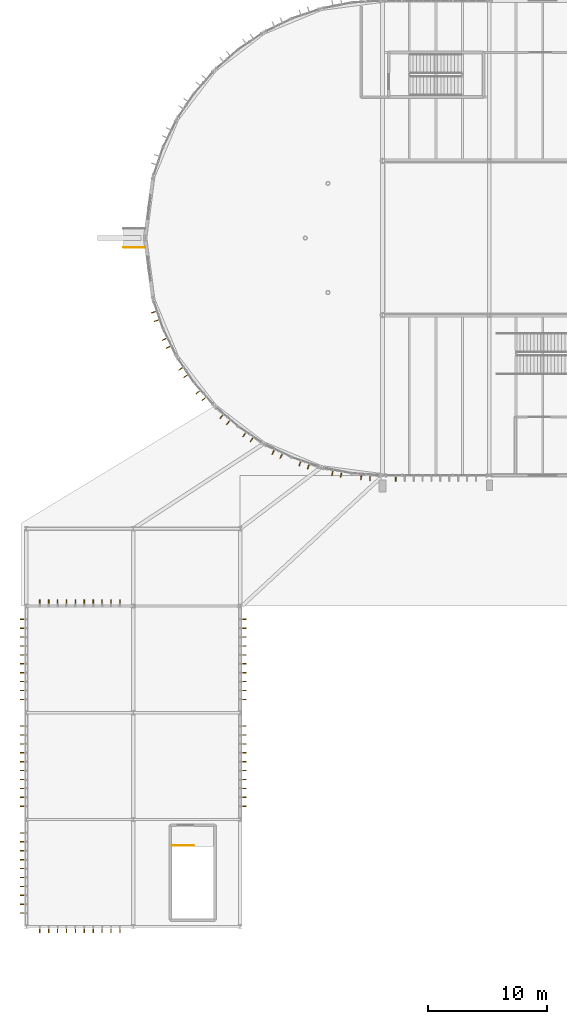
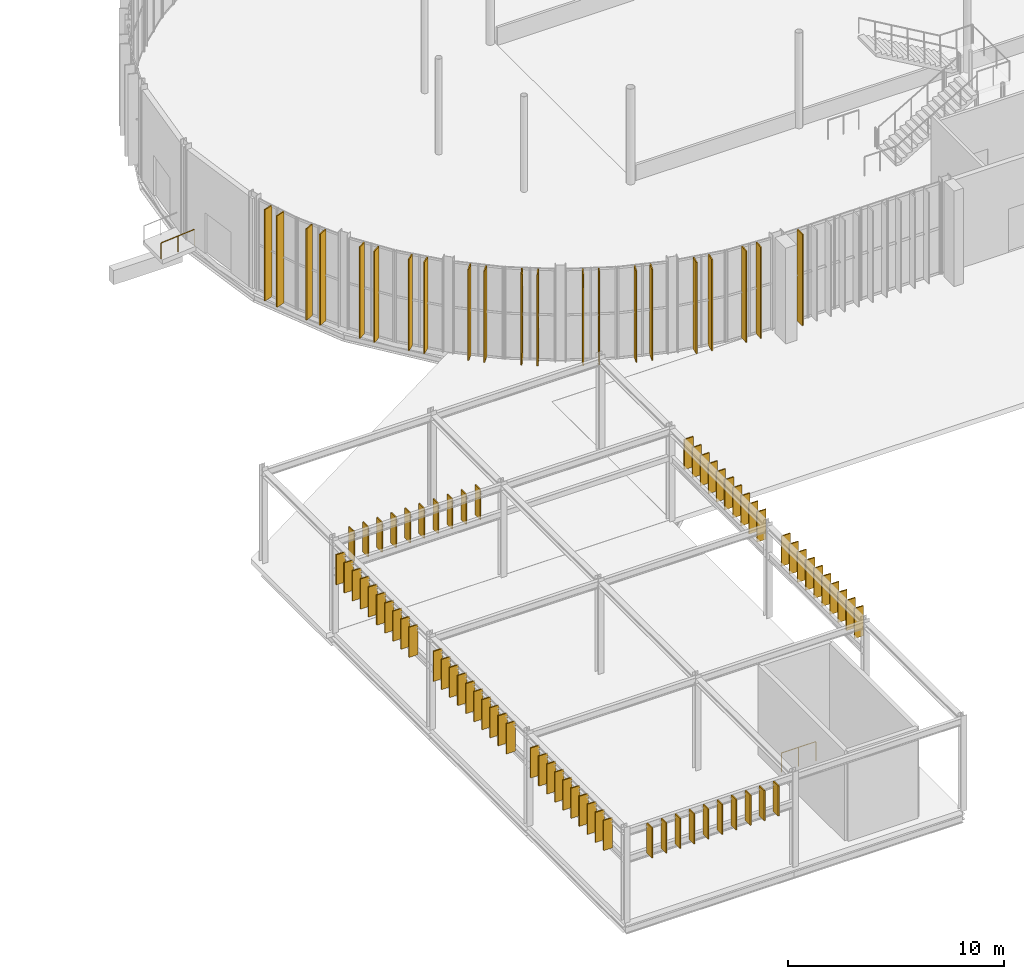
# One storey, part 140 of 158: 91 coverings, 2 railings, 1 element without a shape of its own.
"""IFC4 building model written with IfcOpenShell, lengths in metres."""

from ifc_helpers import new_model, si_unit, derived_unit, direction, frame, origin, origin_2d, place, context, subcontext, project, spatial, rectangle, circle, extrude, material, layer, layer_set, type_object, element, aggregate, save


model = new_model("IFC4")

# Units and contexts
model_context = context("Model", 3, precision=1e-05, world=origin(), true_north=direction((0.0, 1.0)))
body_context = subcontext(model_context, "Body", "Model", "MODEL_VIEW")
ifc_project = project(units=[si_unit("LENGTHUNIT", "METRE"), si_unit("AREAUNIT", "SQUARE_METRE"), si_unit("VOLUMEUNIT", "CUBIC_METRE"), si_unit("PLANEANGLEUNIT", "RADIAN"), si_unit("MASSUNIT", "GRAM", prefix="KILO"), si_unit("THERMODYNAMICTEMPERATUREUNIT", "KELVIN"), si_unit("TIMEUNIT", "SECOND"), derived_unit("THERMALTRANSMITTANCEUNIT", [(si_unit("MASSUNIT", "GRAM", prefix="KILO"), 1), (si_unit("THERMODYNAMICTEMPERATUREUNIT", "KELVIN"), -1), (si_unit("TIMEUNIT", "SECOND"), -3)])], contexts=[model_context])

# Site, building, storey
site_placement = place(None, origin())
site = spatial("IfcSite", under=ifc_project, at=site_placement, CompositionType="ELEMENT")
building_placement = place(site_placement, origin())
building = spatial("IfcBuilding", under=site, at=building_placement, Name="Cambertide Market Hall", CompositionType="ELEMENT")
storey_placement = place(building_placement, origin())
storey = spatial("IfcBuildingStorey", under=building, at=storey_placement, Name="L01", CompositionType="ELEMENT", Elevation=0.0)

# Ramp, railing
ifc_material_1 = material(Name="Flamed Central-Vietnam Granite Paving", Category="masonry")
ramp_type = type_object("IfcRampType", Name="Exterior Accessible Entry Ramp", PredefinedType="STRAIGHT_RUN_RAMP", material=ifc_material_1)
ramp_placement = place(storey_placement, origin())
ramp = element("IfcRamp", 1, at=ramp_placement, inside=storey, type_object=ramp_type, Name="West Main Hall Accessible Ramp PR-01", PredefinedType="STRAIGHT_RUN_RAMP")
ifc_material_2 = material(Name="Stainless Steel Grade 316", Category="metal")
railing_type_1 = type_object("IfcRailingType", Name="Exterior Plinth Ramp Handrail 920", PredefinedType="HANDRAIL", material=ifc_material_2)
railing_1_placement = place(storey_placement, frame((20.199951171875, 71.2080078125, -0.14990234375)))
railing_1 = element("IfcRailing", 2, at=railing_1_placement, type_object=railing_type_1, Name="West Main Hall Accessible Ramp PR-01 Handrail 1", PredefinedType="HANDRAIL", context=body_context, shape_type="SweptSolid", body=[
    extrude(circle(Radius=0.02392578125, at=origin_2d()), frame((0.0, 0.0, 0.89599609375), z_axis=(0.996550417439, 0.0, 0.082989550564), x_axis=(0.0, 1.0, 0.0)), (0.0, 0.0, 1.0), 1.806396484375),
    extrude(circle(Radius=0.02099609375, at=origin_2d()), origin(), (0.0, 0.0, 1.0), 0.871826171875),
    extrude(circle(Radius=0.02099609375, at=origin_2d()), frame((0.89990234375, 0.0, 0.074951171875)), (0.0, 0.0, 1.0), 0.871826171875),
    extrude(circle(Radius=0.02099609375, at=origin_2d()), frame((1.800048828125, 0.0, 0.14990234375)), (0.0, 0.0, 1.0), 0.871826171875),
])
aggregate(ramp, [railing_1])

# Railing
ifc_material_3 = material(Name="Stainless Steel Grade 316", Category="metal")
railing_type_2 = type_object("IfcRailingType", Name="Stairwell Inner Guardrail 1100", PredefinedType="GUARDRAIL", material=ifc_material_3)
railing_2_placement = place(storey_placement, frame((24.25, 20.800048828125, 0.0)))
element("IfcRailing", 3, at=railing_2_placement, inside=storey, type_object=railing_type_2, Name="Level 1 ST-04B top well guard 1", PredefinedType="GUARDRAIL", context=body_context, shape_type="SweptSolid", body=[
    extrude(circle(Radius=0.02392578125, at=origin_2d()), frame((0.0, 0.0, 1.076171875), z_axis=(1.0, 0.0, 0.0), x_axis=(0.0, 1.0, 0.0)), (0.0, 0.0, 1.0), 1.85009765625),
    extrude(circle(Radius=0.02099609375, at=origin_2d()), origin(), (0.0, 0.0, 1.0), 1.052001953125),
    extrude(circle(Radius=0.02099609375, at=origin_2d()), frame((0.925048828125, 0.0, 0.0)), (0.0, 0.0, 1.0), 1.052001953125),
    extrude(circle(Radius=0.02099609375, at=origin_2d()), frame((1.85009765625, 0.0, 0.0)), (0.0, 0.0, 1.0), 1.052001953125),
])

# Coverings
ifc_material_4 = material(Name="White Marine Anodized Aluminium 6063-T6 AA25", Category="aluminium")
ifc_layer = layer(ifc_material_4, 0.06005859375, Name="White Anodized Lantern Vertical Fin 480x60")
ifc_layer_set = layer_set([ifc_layer], Name="White Marine Anodized Aluminium 6063-T6 AA25")
covering_type = type_object("IfcCoveringType", Name="White Anodized Lantern Vertical Fin 480x60", PredefinedType="CLADDING", material=ifc_layer_set)
for number, where, z_axis, x_axis, name in (
    (4, (43.125, 51.739990234375, 0.0), (0.0, 0.0, 1.0), (-1.0, 0.0, 0.0), "CW-V1S-L01-1 Vertical Fin 10"),
    (5, (23.008544921875, 65.051513671875, 0.0), (0.0, 0.0, 1.0), (-0.32143947831, 0.94693012508, 0.0), "CW-V1AW-L01-15 Vertical Fin 1"),
    (6, (22.767333984375, 65.76171875, 0.0), (0.0, 0.0, 1.0), (-0.32143947831, 0.94693012508, 0.0), "CW-V1AW-L01-15 Vertical Fin 2"),
    (7, (23.989501953125, 62.8115234375, 0.0), (0.0, 0.0, 1.0), (-0.442288874522, 0.896872650645, 0.0), "CW-V1AW-L01-16 Vertical Fin 1"),
    (8, (23.65771484375, 63.484130859375, 0.0), (0.0, 0.0, 1.0), (-0.442288874522, 0.896872650645, 0.0), "CW-V1AW-L01-16 Vertical Fin 2"),
    (9, (25.453857421875, 60.373046875, 0.0), (0.0, 0.0, 1.0), (-0.555570087582, 0.831469709481, 0.0), "CW-V1AW-L01-17 Vertical Fin 1"),
    (10, (25.037353515625, 60.99658203125, 0.0), (0.0, 0.0, 1.0), (-0.555570087582, 0.831469709481, 0.0), "CW-V1AW-L01-17 Vertical Fin 2"),
    (11, (26.981201171875, 58.463134765625, 0.0), (0.0, 0.0, 1.0), (-0.659345784014, 0.751839834741, 0.0), "CW-V1AW-L01-18 Vertical Fin 1"),
    (12, (26.48681640625, 59.027099609375, 0.0), (0.0, 0.0, 1.0), (-0.659345784014, 0.751839834741, 0.0), "CW-V1AW-L01-18 Vertical Fin 2"),
    (13, (29.027099609375, 56.48681640625, 0.0), (0.0, 0.0, 1.0), (-0.751839834741, 0.659345784014, 0.0), "CW-V1AW-L01-19 Vertical Fin 1"),
    (14, (28.463134765625, 56.981201171875, 0.0), (0.0, 0.0, 1.0), (-0.751839834741, 0.659345784014, 0.0), "CW-V1AW-L01-19 Vertical Fin 2"),
    (15, (30.99658203125, 55.037353515625, 0.0), (0.0, 0.0, 1.0), (-0.831469709481, 0.555570087582, 0.0), "CW-V1AW-L01-20 Vertical Fin 1"),
    (16, (30.373046875, 55.453857421875, 0.0), (0.0, 0.0, 1.0), (-0.831469709481, 0.555570087582, 0.0), "CW-V1AW-L01-20 Vertical Fin 2"),
    (17, (33.484130859375, 53.65771484375, 0.0), (0.0, 0.0, 1.0), (-0.896872650645, 0.442288874522, 0.0), "CW-V1AW-L01-21 Vertical Fin 1"),
    (18, (32.8115234375, 53.989501953125, 0.0), (0.0, 0.0, 1.0), (-0.896872650645, 0.442288874522, 0.0), "CW-V1AW-L01-21 Vertical Fin 2"),
    (19, (35.76171875, 52.767333984375, 0.0), (0.0, 0.0, 1.0), (-0.94693012508, 0.32143947831, 0.0), "CW-V1AW-L01-22 Vertical Fin 1"),
    (20, (35.051513671875, 53.008544921875, 0.0), (0.0, 0.0, 1.0), (-0.94693012508, 0.32143947831, 0.0), "CW-V1AW-L01-22 Vertical Fin 2"),
    (21, (38.521728515625, 52.07861328125, 0.0), (0.0, 0.0, 1.0), (-0.980785330885, 0.195090068226, 0.0), "CW-V1AW-L01-23 Vertical Fin 1"),
    (22, (37.7861328125, 52.224853515625, 0.0), (0.0, 0.0, 1.0), (-0.980785330885, 0.195090068226, 0.0), "CW-V1AW-L01-23 Vertical Fin 2"),
    (23, (40.9521484375, 51.80810546875, 0.0), (0.0, 0.0, 1.0), (-0.997858917819, 0.065403211921, 0.0), "CW-V1AW-L01-24 Vertical Fin 1"),
    (24, (40.203857421875, 51.857177734375, 0.0), (0.0, 0.0, 1.0), (-0.997858917819, 0.065403211921, 0.0), "CW-V1AW-L01-24 Vertical Fin 2"),
):
    element("IfcCovering", number, at=place(storey_placement, frame(where, z_axis=z_axis, x_axis=x_axis)), inside=storey, type_object=covering_type, Name=name, PredefinedType="CLADDING", context=body_context, shape_type="SweptSolid", body=[
        extrude(rectangle(XDim=0.06005859375, YDim=0.47998046875, at=origin_2d()), origin(), (0.0, 0.0, 1.0), 5.159912109375),
    ])
for number, where, z_axis, x_axis, name in (
    (25, (11.699951171875, 21.875, 3.5), (0.0, 0.0, 1.0), (0.0, 1.0, 0.0), "Level 1 Southwest Loggia Vertical Fin V2SW-W1-1"),
    (26, (11.699951171875, 21.125, 3.5), (0.0, 0.0, 1.0), (0.0, 1.0, 0.0), "Level 1 Southwest Loggia Vertical Fin V2SW-W1-2"),
    (27, (11.699951171875, 20.375, 3.5), (0.0, 0.0, 1.0), (0.0, 1.0, 0.0), "Level 1 Southwest Loggia Vertical Fin V2SW-W1-3"),
    (28, (11.699951171875, 19.625, 3.5), (0.0, 0.0, 1.0), (0.0, 1.0, 0.0), "Level 1 Southwest Loggia Vertical Fin V2SW-W1-4"),
    (29, (11.699951171875, 18.875, 3.5), (0.0, 0.0, 1.0), (0.0, 1.0, 0.0), "Level 1 Southwest Loggia Vertical Fin V2SW-W1-5"),
    (30, (11.699951171875, 18.125, 3.5), (0.0, 0.0, 1.0), (0.0, 1.0, 0.0), "Level 1 Southwest Loggia Vertical Fin V2SW-W1-6"),
    (31, (11.699951171875, 17.375, 3.5), (0.0, 0.0, 1.0), (0.0, 1.0, 0.0), "Level 1 Southwest Loggia Vertical Fin V2SW-W1-7"),
    (32, (11.699951171875, 16.625, 3.5), (0.0, 0.0, 1.0), (0.0, 1.0, 0.0), "Level 1 Southwest Loggia Vertical Fin V2SW-W1-8"),
    (33, (11.699951171875, 15.875, 3.5), (0.0, 0.0, 1.0), (0.0, 1.0, 0.0), "Level 1 Southwest Loggia Vertical Fin V2SW-W1-9"),
    (34, (11.699951171875, 15.125, 3.5), (0.0, 0.0, 1.0), (0.0, 1.0, 0.0), "Level 1 Southwest Loggia Vertical Fin V2SW-W1-10"),
    (35, (11.699951171875, 30.875, 3.5), (0.0, 0.0, 1.0), (0.0, 1.0, 0.0), "Level 1 Southwest Loggia Vertical Fin V2SW-W2-1"),
    (36, (11.699951171875, 30.125, 3.5), (0.0, 0.0, 1.0), (0.0, 1.0, 0.0), "Level 1 Southwest Loggia Vertical Fin V2SW-W2-2"),
    (37, (11.699951171875, 29.375, 3.5), (0.0, 0.0, 1.0), (0.0, 1.0, 0.0), "Level 1 Southwest Loggia Vertical Fin V2SW-W2-3"),
    (38, (11.699951171875, 28.625, 3.5), (0.0, 0.0, 1.0), (0.0, 1.0, 0.0), "Level 1 Southwest Loggia Vertical Fin V2SW-W2-4"),
    (39, (11.699951171875, 27.875, 3.5), (0.0, 0.0, 1.0), (0.0, 1.0, 0.0), "Level 1 Southwest Loggia Vertical Fin V2SW-W2-5"),
    (40, (11.699951171875, 27.125, 3.5), (0.0, 0.0, 1.0), (0.0, 1.0, 0.0), "Level 1 Southwest Loggia Vertical Fin V2SW-W2-6"),
    (41, (11.699951171875, 26.375, 3.5), (0.0, 0.0, 1.0), (0.0, 1.0, 0.0), "Level 1 Southwest Loggia Vertical Fin V2SW-W2-7"),
    (42, (11.699951171875, 25.625, 3.5), (0.0, 0.0, 1.0), (0.0, 1.0, 0.0), "Level 1 Southwest Loggia Vertical Fin V2SW-W2-8"),
    (43, (11.699951171875, 24.875, 3.5), (0.0, 0.0, 1.0), (0.0, 1.0, 0.0), "Level 1 Southwest Loggia Vertical Fin V2SW-W2-9"),
    (44, (11.699951171875, 24.125, 3.5), (0.0, 0.0, 1.0), (0.0, 1.0, 0.0), "Level 1 Southwest Loggia Vertical Fin V2SW-W2-10"),
    (45, (11.699951171875, 39.875, 3.5), (0.0, 0.0, 1.0), (0.0, 1.0, 0.0), "Level 1 Southwest Loggia Vertical Fin V2SW-W3-1"),
    (46, (11.699951171875, 39.125, 3.5), (0.0, 0.0, 1.0), (0.0, 1.0, 0.0), "Level 1 Southwest Loggia Vertical Fin V2SW-W3-2"),
    (47, (11.699951171875, 38.375, 3.5), (0.0, 0.0, 1.0), (0.0, 1.0, 0.0), "Level 1 Southwest Loggia Vertical Fin V2SW-W3-3"),
    (48, (11.699951171875, 37.625, 3.5), (0.0, 0.0, 1.0), (0.0, 1.0, 0.0), "Level 1 Southwest Loggia Vertical Fin V2SW-W3-4"),
    (49, (11.699951171875, 36.875, 3.5), (0.0, 0.0, 1.0), (0.0, 1.0, 0.0), "Level 1 Southwest Loggia Vertical Fin V2SW-W3-5"),
    (50, (11.699951171875, 36.125, 3.5), (0.0, 0.0, 1.0), (0.0, 1.0, 0.0), "Level 1 Southwest Loggia Vertical Fin V2SW-W3-6"),
    (51, (11.699951171875, 35.375, 3.5), (0.0, 0.0, 1.0), (0.0, 1.0, 0.0), "Level 1 Southwest Loggia Vertical Fin V2SW-W3-7"),
    (52, (11.699951171875, 34.625, 3.5), (0.0, 0.0, 1.0), (0.0, 1.0, 0.0), "Level 1 Southwest Loggia Vertical Fin V2SW-W3-8"),
    (53, (11.699951171875, 33.875, 3.5), (0.0, 0.0, 1.0), (0.0, 1.0, 0.0), "Level 1 Southwest Loggia Vertical Fin V2SW-W3-9"),
    (54, (11.699951171875, 33.125, 3.5), (0.0, 0.0, 1.0), (0.0, 1.0, 0.0), "Level 1 Southwest Loggia Vertical Fin V2SW-W3-10"),
    (55, (13.125, 13.699951171875, 3.5), (0.0, 0.0, 1.0), (1.0, 0.0, 0.0), "Level 1 Southwest Loggia Vertical Fin V2SW-S1-1"),
    (56, (13.875, 13.699951171875, 3.5), (0.0, 0.0, 1.0), (1.0, 0.0, 0.0), "Level 1 Southwest Loggia Vertical Fin V2SW-S1-2"),
    (57, (14.625, 13.699951171875, 3.5), (0.0, 0.0, 1.0), (1.0, 0.0, 0.0), "Level 1 Southwest Loggia Vertical Fin V2SW-S1-3"),
    (58, (15.375, 13.699951171875, 3.5), (0.0, 0.0, 1.0), (1.0, 0.0, 0.0), "Level 1 Southwest Loggia Vertical Fin V2SW-S1-4"),
    (59, (16.125, 13.699951171875, 3.5), (0.0, 0.0, 1.0), (1.0, 0.0, 0.0), "Level 1 Southwest Loggia Vertical Fin V2SW-S1-5"),
    (60, (16.875, 13.699951171875, 3.5), (0.0, 0.0, 1.0), (1.0, 0.0, 0.0), "Level 1 Southwest Loggia Vertical Fin V2SW-S1-6"),
    (61, (17.625, 13.699951171875, 3.5), (0.0, 0.0, 1.0), (1.0, 0.0, 0.0), "Level 1 Southwest Loggia Vertical Fin V2SW-S1-7"),
    (62, (18.375, 13.699951171875, 3.5), (0.0, 0.0, 1.0), (1.0, 0.0, 0.0), "Level 1 Southwest Loggia Vertical Fin V2SW-S1-8"),
    (63, (19.125, 13.699951171875, 3.5), (0.0, 0.0, 1.0), (1.0, 0.0, 0.0), "Level 1 Southwest Loggia Vertical Fin V2SW-S1-9"),
    (64, (19.875, 13.699951171875, 3.5), (0.0, 0.0, 1.0), (1.0, 0.0, 0.0), "Level 1 Southwest Loggia Vertical Fin V2SW-S1-10"),
    (65, (19.875, 41.300048828125, 3.5), (0.0, 0.0, 1.0), (-1.0, 0.0, 0.0), "Level 1 Southwest Loggia Vertical Fin V2SW-N1-1"),
    (66, (19.125, 41.300048828125, 3.5), (0.0, 0.0, 1.0), (-1.0, 0.0, 0.0), "Level 1 Southwest Loggia Vertical Fin V2SW-N1-2"),
    (67, (18.375, 41.300048828125, 3.5), (0.0, 0.0, 1.0), (-1.0, 0.0, 0.0), "Level 1 Southwest Loggia Vertical Fin V2SW-N1-3"),
    (68, (17.625, 41.300048828125, 3.5), (0.0, 0.0, 1.0), (-1.0, 0.0, 0.0), "Level 1 Southwest Loggia Vertical Fin V2SW-N1-4"),
    (69, (16.875, 41.300048828125, 3.5), (0.0, 0.0, 1.0), (-1.0, 0.0, 0.0), "Level 1 Southwest Loggia Vertical Fin V2SW-N1-5"),
    (70, (16.125, 41.300048828125, 3.5), (0.0, 0.0, 1.0), (-1.0, 0.0, 0.0), "Level 1 Southwest Loggia Vertical Fin V2SW-N1-6"),
    (71, (15.375, 41.300048828125, 3.5), (0.0, 0.0, 1.0), (-1.0, 0.0, 0.0), "Level 1 Southwest Loggia Vertical Fin V2SW-N1-7"),
    (72, (14.625, 41.300048828125, 3.5), (0.0, 0.0, 1.0), (-1.0, 0.0, 0.0), "Level 1 Southwest Loggia Vertical Fin V2SW-N1-8"),
    (73, (13.875, 41.300048828125, 3.5), (0.0, 0.0, 1.0), (-1.0, 0.0, 0.0), "Level 1 Southwest Loggia Vertical Fin V2SW-N1-9"),
    (74, (13.125, 41.300048828125, 3.5), (0.0, 0.0, 1.0), (-1.0, 0.0, 0.0), "Level 1 Southwest Loggia Vertical Fin V2SW-N1-10"),
    (75, (30.300048828125, 24.125, 3.5), (0.0, 0.0, 1.0), (0.0, -1.0, 0.0), "Level 1 Southwest Loggia Vertical Fin V2SW-E2-1"),
    (76, (30.300048828125, 24.875, 3.5), (0.0, 0.0, 1.0), (0.0, -1.0, 0.0), "Level 1 Southwest Loggia Vertical Fin V2SW-E2-2"),
    (77, (30.300048828125, 25.625, 3.5), (0.0, 0.0, 1.0), (0.0, -1.0, 0.0), "Level 1 Southwest Loggia Vertical Fin V2SW-E2-3"),
    (78, (30.300048828125, 26.375, 3.5), (0.0, 0.0, 1.0), (0.0, -1.0, 0.0), "Level 1 Southwest Loggia Vertical Fin V2SW-E2-4"),
    (79, (30.300048828125, 27.125, 3.5), (0.0, 0.0, 1.0), (0.0, -1.0, 0.0), "Level 1 Southwest Loggia Vertical Fin V2SW-E2-5"),
    (80, (30.300048828125, 27.875, 3.5), (0.0, 0.0, 1.0), (0.0, -1.0, 0.0), "Level 1 Southwest Loggia Vertical Fin V2SW-E2-6"),
    (81, (30.300048828125, 28.625, 3.5), (0.0, 0.0, 1.0), (0.0, -1.0, 0.0), "Level 1 Southwest Loggia Vertical Fin V2SW-E2-7"),
    (82, (30.300048828125, 29.375, 3.5), (0.0, 0.0, 1.0), (0.0, -1.0, 0.0), "Level 1 Southwest Loggia Vertical Fin V2SW-E2-8"),
    (83, (30.300048828125, 30.125, 3.5), (0.0, 0.0, 1.0), (0.0, -1.0, 0.0), "Level 1 Southwest Loggia Vertical Fin V2SW-E2-9"),
    (84, (30.300048828125, 30.875, 3.5), (0.0, 0.0, 1.0), (0.0, -1.0, 0.0), "Level 1 Southwest Loggia Vertical Fin V2SW-E2-10"),
    (85, (30.300048828125, 33.125, 3.5), (0.0, 0.0, 1.0), (0.0, -1.0, 0.0), "Level 1 Southwest Loggia Vertical Fin V2SW-E3-1"),
    (86, (30.300048828125, 33.875, 3.5), (0.0, 0.0, 1.0), (0.0, -1.0, 0.0), "Level 1 Southwest Loggia Vertical Fin V2SW-E3-2"),
    (87, (30.300048828125, 34.625, 3.5), (0.0, 0.0, 1.0), (0.0, -1.0, 0.0), "Level 1 Southwest Loggia Vertical Fin V2SW-E3-3"),
    (88, (30.300048828125, 35.375, 3.5), (0.0, 0.0, 1.0), (0.0, -1.0, 0.0), "Level 1 Southwest Loggia Vertical Fin V2SW-E3-4"),
    (89, (30.300048828125, 36.125, 3.5), (0.0, 0.0, 1.0), (0.0, -1.0, 0.0), "Level 1 Southwest Loggia Vertical Fin V2SW-E3-5"),
    (90, (30.300048828125, 36.875, 3.5), (0.0, 0.0, 1.0), (0.0, -1.0, 0.0), "Level 1 Southwest Loggia Vertical Fin V2SW-E3-6"),
    (91, (30.300048828125, 37.625, 3.5), (0.0, 0.0, 1.0), (0.0, -1.0, 0.0), "Level 1 Southwest Loggia Vertical Fin V2SW-E3-7"),
    (92, (30.300048828125, 38.375, 3.5), (0.0, 0.0, 1.0), (0.0, -1.0, 0.0), "Level 1 Southwest Loggia Vertical Fin V2SW-E3-8"),
    (93, (30.300048828125, 39.125, 3.5), (0.0, 0.0, 1.0), (0.0, -1.0, 0.0), "Level 1 Southwest Loggia Vertical Fin V2SW-E3-9"),
    (94, (30.300048828125, 39.875, 3.5), (0.0, 0.0, 1.0), (0.0, -1.0, 0.0), "Level 1 Southwest Loggia Vertical Fin V2SW-E3-10"),
):
    element("IfcCovering", number, at=place(storey_placement, frame(where, z_axis=z_axis, x_axis=x_axis)), inside=storey, type_object=covering_type, Name=name, PredefinedType="CLADDING", context=body_context, shape_type="SweptSolid", body=[
        extrude(rectangle(XDim=0.06005859375, YDim=0.47998046875, at=origin_2d()), origin(), (0.0, 0.0, 1.0), 1.699951171875),
    ])

save(model, "model.ifc")
